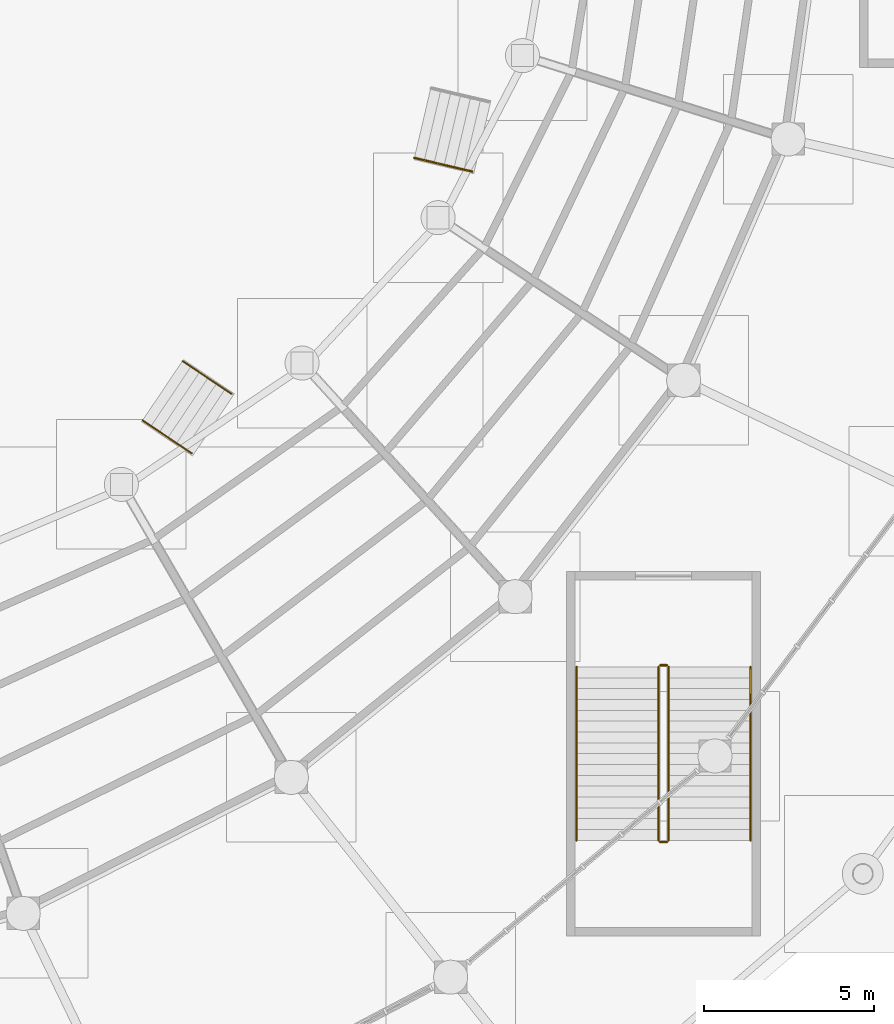
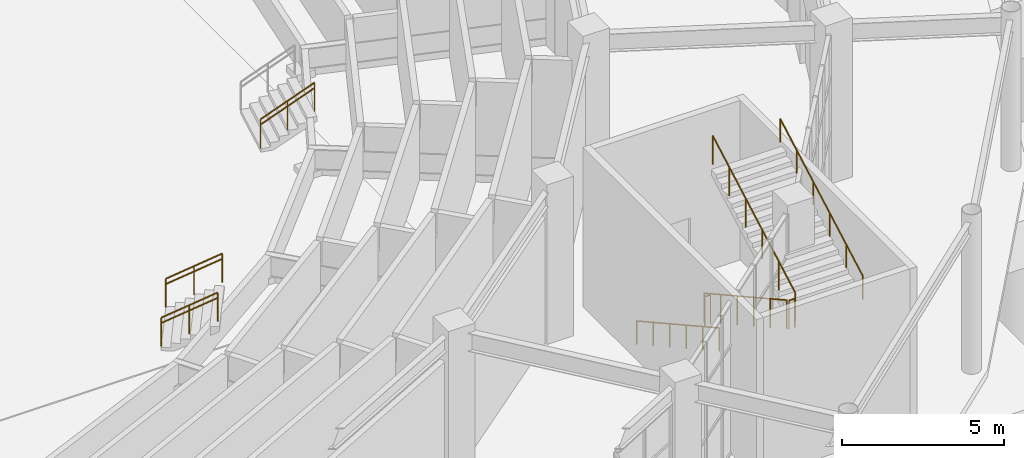
# One storey, part 107 of 121: 12 railings.
"""IFC4 building model written with IfcOpenShell, lengths in metres."""

from ifc_helpers import new_model, si_unit, direction, frame, origin, origin_2d, place, context, subcontext, project, spatial, circle, extrude, material, type_object, element, save


model = new_model("IFC4")

# Units and contexts
model_context = context("Model", 3, precision=1e-05, world=origin(), true_north=direction((0.0, 1.0)))
body_context = subcontext(model_context, "Body", "Model", "MODEL_VIEW")
ifc_project = project(units=[si_unit("LENGTHUNIT", "METRE"), si_unit("AREAUNIT", "SQUARE_METRE"), si_unit("VOLUMEUNIT", "CUBIC_METRE"), si_unit("PLANEANGLEUNIT", "RADIAN"), si_unit("MASSUNIT", "GRAM", prefix="KILO")], contexts=[model_context])

# Site, building, storey
site_placement = place(None, origin())
site = spatial("IfcSite", under=ifc_project, at=site_placement, CompositionType="ELEMENT")
building_placement = place(site_placement, origin())
building = spatial("IfcBuilding", under=site, at=building_placement, Name="Cuetzalor Civic Arena", CompositionType="ELEMENT")
storey_placement = place(building_placement, origin())
storey = spatial("IfcBuildingStorey", under=building, at=storey_placement, Name="L00", CompositionType="ELEMENT", Elevation=0.0)

# Railings
ifc_material_1 = material(Name="Reseda-green Steel S355 and laminated glass guard", Category="steel")
railing_type_1 = type_object("IfcRailingType", Name="BowlSightlineGuard_1100", PredefinedType="BALUSTRADE", material=ifc_material_1)
for number, where, name in (
    (1, (22.68017578125, -13.968017578125, 0.17138671875), "Vomitory Stair VST-13 Guard L"),
    (2, (21.50927734375, -15.711181640625, 0.17138671875), "Vomitory Stair VST-13 Guard R"),
):
    element("IfcRailing", number, at=place(storey_placement, frame(where)), inside=storey, type_object=railing_type_1, Name=name, PredefinedType="BALUSTRADE", context=body_context, shape_type="SweptSolid", body=[
        extrude(circle(Radius=0.02392578125, at=origin_2d()), frame((0.0, 0.0, 1.076171875), z_axis=(0.714582912887, -0.480012254194, 0.50888063083), x_axis=(0.55761102439, 0.830102370481, 0.0)), (0.0, 0.0, 1.0), 2.021240234375),
        extrude(circle(Radius=0.02099609375, at=origin_2d()), origin(), (0.0, 0.0, 1.0), 1.052001953125),
        extrude(circle(Radius=0.02099609375, at=origin_2d()), frame((0.72216796875, -0.485107421875, 0.51416015625)), (0.0, 0.0, 1.0), 1.052001953125),
        extrude(circle(Radius=0.02099609375, at=origin_2d()), frame((1.4443359375, -0.97021484375, 1.028564453125)), (0.0, 0.0, 1.0), 1.052001953125),
    ])
railing_1_placement = place(storey_placement, frame((29.4873046875, -8.0087890625, 0.17138671875)))
element("IfcRailing", 3, at=railing_1_placement, inside=storey, type_object=railing_type_1, Name="Vomitory Stair VST-14 Guard R", PredefinedType="BALUSTRADE", context=body_context, shape_type="SweptSolid", body=[
    extrude(circle(Radius=0.02392578125, at=origin_2d()), frame((0.0, 0.0, 1.076171875), z_axis=(0.838022253139, -0.196883290951, 0.508876874095), x_axis=(0.228710849306, 0.973494400297, 0.0)), (0.0, 0.0, 1.0), 2.021240234375),
    extrude(circle(Radius=0.02099609375, at=origin_2d()), origin(), (0.0, 0.0, 1.0), 1.052001953125),
    extrude(circle(Radius=0.02099609375, at=origin_2d()), frame((0.846923828125, -0.198974609375, 0.51416015625)), (0.0, 0.0, 1.0), 1.052001953125),
    extrude(circle(Radius=0.02099609375, at=origin_2d()), frame((1.69384765625, -0.39794921875, 1.028564453125)), (0.0, 0.0, 1.0), 1.052001953125),
])
ifc_material_2 = material(Name="Reseda-green architectural Steel S355 balustrade", Category="steel")
railing_type_2 = type_object("IfcRailingType", Name="InteriorVoidBalustrade_1100", PredefinedType="BALUSTRADE", material=ifc_material_2)
railing_2_placement = place(storey_placement, frame((36.64990234375, -22.949951171875, 0.176513671875)))
element("IfcRailing", 4, at=railing_2_placement, inside=storey, type_object=railing_type_2, Name="L00 ST-08 stair guard 1", PredefinedType="BALUSTRADE", context=body_context, shape_type="SweptSolid", body=[
    extrude(circle(Radius=0.02392578125, at=origin_2d()), frame((0.0, 0.0, 1.0810546875), z_axis=(0.0, -0.874394655587, 0.485215401941), x_axis=(1.0, 0.0, 0.0)), (0.0, 0.0, 1.0), 5.819091796875),
    extrude(circle(Radius=0.02099609375, at=origin_2d()), origin(), (0.0, 0.0, 1.0), 1.056884765625),
    extrude(circle(Radius=0.02099609375, at=origin_2d()), frame((0.0, -1.017578125, 0.564697265625)), (0.0, 0.0, 1.0), 1.056884765625),
    extrude(circle(Radius=0.02099609375, at=origin_2d()), frame((0.0, -2.03515625, 1.12939453125)), (0.0, 0.0, 1.0), 1.056884765625),
    extrude(circle(Radius=0.02099609375, at=origin_2d()), frame((0.0, -3.052978515625, 1.694091796875)), (0.0, 0.0, 1.0), 1.056884765625),
    extrude(circle(Radius=0.02099609375, at=origin_2d()), frame((0.0, -4.070556640625, 2.2587890625)), (0.0, 0.0, 1.0), 1.056884765625),
    extrude(circle(Radius=0.02099609375, at=origin_2d()), frame((0.0, -5.088134765625, 2.823486328125)), (0.0, 0.0, 1.0), 1.056884765625),
])
railing_3_placement = place(storey_placement, frame((36.699951171875, -28.087890625, 3.0)))
element("IfcRailing", 5, at=railing_3_placement, inside=storey, type_object=railing_type_2, Name="L00 ST-08 stair guard 2", PredefinedType="BALUSTRADE", context=body_context, shape_type="SweptSolid", body=[
    extrude(circle(Radius=0.02392578125, at=origin_2d()), frame((0.0, 0.0, 1.0810546875), z_axis=(1.0, 0.0, 0.0), x_axis=(0.0, 1.0, 0.0)), (0.0, 0.0, 1.0), 0.199951171875),
    extrude(circle(Radius=0.02099609375, at=origin_2d()), origin(), (0.0, 0.0, 1.0), 1.056884765625),
    extrude(circle(Radius=0.02099609375, at=origin_2d()), frame((0.199951171875, 0.0, 0.0)), (0.0, 0.0, 1.0), 1.056884765625),
])
railing_4_placement = place(storey_placement, frame((36.949951171875, -28.0380859375, 3.176513671875)))
element("IfcRailing", 6, at=railing_4_placement, inside=storey, type_object=railing_type_2, Name="L00 ST-08 stair guard 3", PredefinedType="BALUSTRADE", context=body_context, shape_type="SweptSolid", body=[
    extrude(circle(Radius=0.02392578125, at=origin_2d()), frame((0.0, 0.0, 1.0810546875), z_axis=(0.0, 0.874394655587, 0.485215401941), x_axis=(-1.0, 0.0, 0.0)), (0.0, 0.0, 1.0), 5.819091796875),
    extrude(circle(Radius=0.02099609375, at=origin_2d()), origin(), (0.0, 0.0, 1.0), 1.056884765625),
    extrude(circle(Radius=0.02099609375, at=origin_2d()), frame((0.0, 1.017578125, 0.564697265625)), (0.0, 0.0, 1.0), 1.056884765625),
    extrude(circle(Radius=0.02099609375, at=origin_2d()), frame((0.0, 2.03515625, 1.12939453125)), (0.0, 0.0, 1.0), 1.056884765625),
    extrude(circle(Radius=0.02099609375, at=origin_2d()), frame((0.0, 3.052978515625, 1.694091796875)), (0.0, 0.0, 1.0), 1.056884765625),
    extrude(circle(Radius=0.02099609375, at=origin_2d()), frame((0.0, 4.070556640625, 2.2587890625)), (0.0, 0.0, 1.0), 1.056884765625),
    extrude(circle(Radius=0.02099609375, at=origin_2d()), frame((0.0, 5.088134765625, 2.823486328125)), (0.0, 0.0, 1.0), 1.056884765625),
])
railing_5_placement = place(storey_placement, frame((36.699951171875, -22.89990234375, 0.0)))
element("IfcRailing", 7, at=railing_5_placement, inside=storey, type_object=railing_type_2, Name="L00 ST-08 stair guard 4", PredefinedType="BALUSTRADE", context=body_context, shape_type="SweptSolid", body=[
    extrude(circle(Radius=0.02392578125, at=origin_2d()), frame((0.0, 0.0, 1.0810546875), z_axis=(1.0, 0.0, 0.0), x_axis=(0.0, 1.0, 0.0)), (0.0, 0.0, 1.0), 0.199951171875),
    extrude(circle(Radius=0.02099609375, at=origin_2d()), origin(), (0.0, 0.0, 1.0), 1.056884765625),
    extrude(circle(Radius=0.02099609375, at=origin_2d()), frame((0.199951171875, 0.0, 0.0)), (0.0, 0.0, 1.0), 1.056884765625),
])
ifc_material_3 = material(Name="Galvanised steel S355", Category="steel")
railing_type_3 = type_object("IfcRailingType", Name="StairPitchHandrail_900", PredefinedType="HANDRAIL", material=ifc_material_3)
railing_6_placement = place(storey_placement, frame((34.25, -22.949951171875, 0.176513671875)))
element("IfcRailing", 8, at=railing_6_placement, inside=storey, type_object=railing_type_3, Name="L00 ST-08 stair handrail 1", PredefinedType="HANDRAIL", context=body_context, shape_type="SweptSolid", body=[
    extrude(circle(Radius=0.02392578125, at=origin_2d()), frame((0.0, 0.0, 0.8759765625), z_axis=(0.0, -0.874394655587, 0.485215401941), x_axis=(1.0, 0.0, 0.0)), (0.0, 0.0, 1.0), 5.819091796875),
    extrude(circle(Radius=0.02099609375, at=origin_2d()), origin(), (0.0, 0.0, 1.0), 0.851806640625),
    extrude(circle(Radius=0.02099609375, at=origin_2d()), frame((0.0, -1.017578125, 0.564697265625)), (0.0, 0.0, 1.0), 0.851806640625),
    extrude(circle(Radius=0.02099609375, at=origin_2d()), frame((0.0, -2.03515625, 1.12939453125)), (0.0, 0.0, 1.0), 0.851806640625),
    extrude(circle(Radius=0.02099609375, at=origin_2d()), frame((0.0, -3.052978515625, 1.694091796875)), (0.0, 0.0, 1.0), 0.851806640625),
    extrude(circle(Radius=0.02099609375, at=origin_2d()), frame((0.0, -4.070556640625, 2.2587890625)), (0.0, 0.0, 1.0), 0.851806640625),
    extrude(circle(Radius=0.02099609375, at=origin_2d()), frame((0.0, -5.088134765625, 2.823486328125)), (0.0, 0.0, 1.0), 0.851806640625),
])
railing_7_placement = place(storey_placement, frame((39.35009765625, -28.0380859375, 3.176513671875)))
element("IfcRailing", 9, at=railing_7_placement, inside=storey, type_object=railing_type_3, Name="L00 ST-08 stair handrail 2", PredefinedType="HANDRAIL", context=body_context, shape_type="SweptSolid", body=[
    extrude(circle(Radius=0.02392578125, at=origin_2d()), frame((0.0, 0.0, 0.8759765625), z_axis=(0.0, 0.874394655587, 0.485215401941), x_axis=(-1.0, 0.0, 0.0)), (0.0, 0.0, 1.0), 5.819091796875),
    extrude(circle(Radius=0.02099609375, at=origin_2d()), origin(), (0.0, 0.0, 1.0), 0.851806640625),
    extrude(circle(Radius=0.02099609375, at=origin_2d()), frame((0.0, 1.017578125, 0.564697265625)), (0.0, 0.0, 1.0), 0.851806640625),
    extrude(circle(Radius=0.02099609375, at=origin_2d()), frame((0.0, 2.03515625, 1.12939453125)), (0.0, 0.0, 1.0), 0.851806640625),
    extrude(circle(Radius=0.02099609375, at=origin_2d()), frame((0.0, 3.052978515625, 1.694091796875)), (0.0, 0.0, 1.0), 0.851806640625),
    extrude(circle(Radius=0.02099609375, at=origin_2d()), frame((0.0, 4.070556640625, 2.2587890625)), (0.0, 0.0, 1.0), 0.851806640625),
    extrude(circle(Radius=0.02099609375, at=origin_2d()), frame((0.0, 5.088134765625, 2.823486328125)), (0.0, 0.0, 1.0), 0.851806640625),
])
for number, where, name in (
    (10, (22.68017578125, -13.968017578125, 0.17138671875), "Vomitory Stair VST-13 Handrail L"),
    (11, (21.50927734375, -15.711181640625, 0.17138671875), "Vomitory Stair VST-13 Handrail R"),
):
    element("IfcRailing", number, at=place(storey_placement, frame(where)), inside=storey, type_object=railing_type_3, Name=name, PredefinedType="HANDRAIL", context=body_context, shape_type="SweptSolid", body=[
        extrude(circle(Radius=0.02392578125, at=origin_2d()), frame((0.0, 0.0, 0.8759765625), z_axis=(0.714582912887, -0.480012254194, 0.50888063083), x_axis=(0.55761102439, 0.830102370481, 0.0)), (0.0, 0.0, 1.0), 2.021240234375),
        extrude(circle(Radius=0.02099609375, at=origin_2d()), origin(), (0.0, 0.0, 1.0), 0.851806640625),
        extrude(circle(Radius=0.02099609375, at=origin_2d()), frame((0.72216796875, -0.485107421875, 0.51416015625)), (0.0, 0.0, 1.0), 0.851806640625),
        extrude(circle(Radius=0.02099609375, at=origin_2d()), frame((1.4443359375, -0.97021484375, 1.028564453125)), (0.0, 0.0, 1.0), 0.851806640625),
    ])
railing_8_placement = place(storey_placement, frame((29.4873046875, -8.0087890625, 0.17138671875)))
element("IfcRailing", 12, at=railing_8_placement, inside=storey, type_object=railing_type_3, Name="Vomitory Stair VST-14 Handrail R", PredefinedType="HANDRAIL", context=body_context, shape_type="SweptSolid", body=[
    extrude(circle(Radius=0.02392578125, at=origin_2d()), frame((0.0, 0.0, 0.8759765625), z_axis=(0.838022253139, -0.196883290951, 0.508876874095), x_axis=(0.228710849306, 0.973494400297, 0.0)), (0.0, 0.0, 1.0), 2.021240234375),
    extrude(circle(Radius=0.02099609375, at=origin_2d()), origin(), (0.0, 0.0, 1.0), 0.851806640625),
    extrude(circle(Radius=0.02099609375, at=origin_2d()), frame((0.846923828125, -0.198974609375, 0.51416015625)), (0.0, 0.0, 1.0), 0.851806640625),
    extrude(circle(Radius=0.02099609375, at=origin_2d()), frame((1.69384765625, -0.39794921875, 1.028564453125)), (0.0, 0.0, 1.0), 0.851806640625),
])

save(model, "model.ifc")
